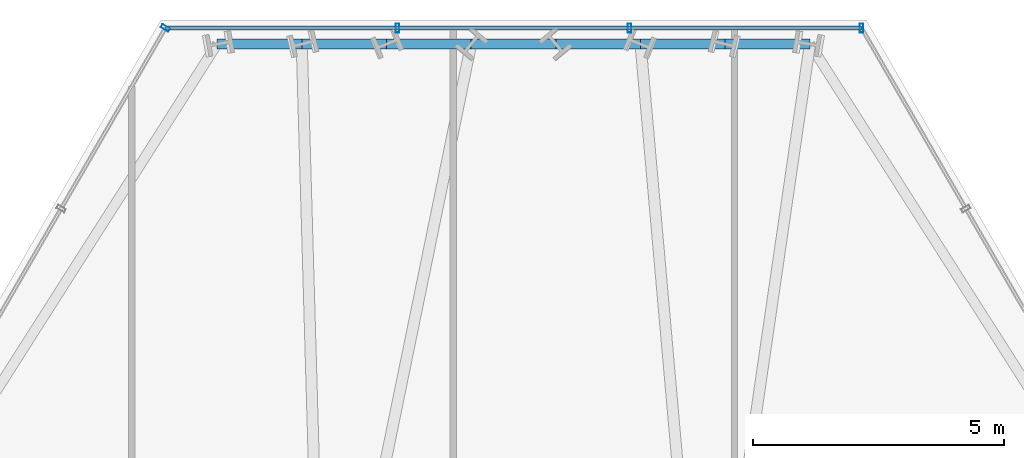
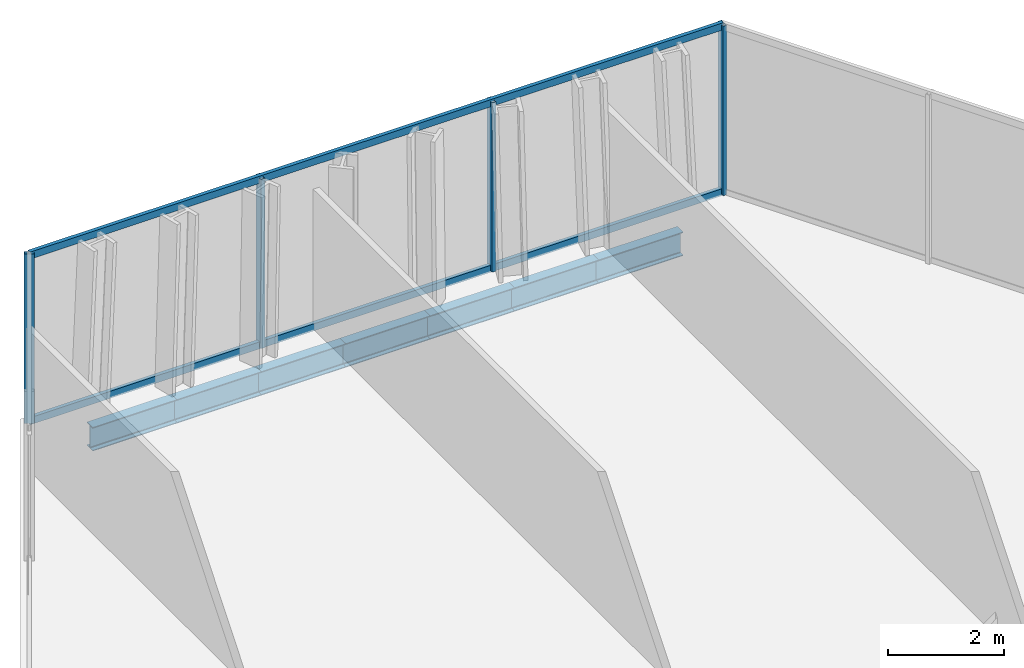
# One storey, part 24 of 32: 7 beams, 6 members, 2 elements without a shape of their own.
"""IFC4 building model written with IfcOpenShell, lengths in metres."""

from ifc_helpers import new_model, si_unit, direction, frame, origin, origin_2d, place, context, subcontext, project, spatial, hollow_rectangle, i_section, extrude, material, layer, layer_set, material_profile, profile_set, type_object, element, aggregate, save


model = new_model("IFC4")

# Units and contexts
model_context = context("Model", 3, precision=1e-05, world=origin(), true_north=direction((0.0, 1.0)))
body_context = subcontext(model_context, "Body", "Model", "MODEL_VIEW")
ifc_project = project(units=[si_unit("LENGTHUNIT", "METRE"), si_unit("AREAUNIT", "SQUARE_METRE"), si_unit("VOLUMEUNIT", "CUBIC_METRE"), si_unit("PLANEANGLEUNIT", "RADIAN"), si_unit("MASSUNIT", "GRAM", prefix="KILO")], contexts=[model_context])

# Site, building, storey
site_placement = place(None, origin())
site = spatial("IfcSite", under=ifc_project, at=site_placement, CompositionType="ELEMENT")
building_placement = place(site_placement, origin())
building = spatial("IfcBuilding", under=site, at=building_placement, Name="Ndaravel Arena Tower", CompositionType="ELEMENT")
storey_placement = place(building_placement, frame((0.0, 0.0, 96.800048828125)))
storey = spatial("IfcBuildingStorey", under=building, at=storey_placement, Name="L22", CompositionType="ELEMENT", Elevation=96.800048828125)

# Beams
ifc_material_1 = material(Name="Steel S355", Category="steel")
ifc_material_profile_1 = material_profile(ifc_material_1, i_section(OverallWidth=0.199951171875, OverallDepth=0.5, WebThickness=0.01025390625, FlangeThickness=0.01611328125, FilletRadius=0.02099609375, at=origin_2d()), Name="IPE 500")
ifc_profile_set_1 = profile_set([ifc_material_profile_1], Name="Steel S355")
beam_type = type_object("IfcBeamType", Name="BM-SPAN-IPE500", PredefinedType="SPANDREL", material=ifc_profile_set_1)
beam_1_placement = place(storey_placement, frame((47.90087890625, 45.614013671875, -0.469970703125), z_axis=(-1.0, 0.0, 0.0), x_axis=(0.0, -1.0, 0.0)))
element("IfcBeam", 1, at=beam_1_placement, inside=storey, type_object=beam_type, Name="L22 Perimeter Spandrel Beam SP-11", PredefinedType="SPANDREL", context=body_context, shape_type="SweptSolid", body=[
    extrude(i_section(OverallWidth=0.199951171875, OverallDepth=0.5, WebThickness=0.01025390625, FlangeThickness=0.01611328125, FilletRadius=0.02099609375, at=origin_2d()), origin(), (0.0, 0.0, 1.0), 1.68603515625),
])
beam_2_placement = place(storey_placement, frame((46.21484375, 45.614013671875, -0.469970703125), z_axis=(-1.0, 0.0, 0.0), x_axis=(0.0, -1.0, 0.0)))
element("IfcBeam", 2, at=beam_2_placement, inside=storey, type_object=beam_type, Name="L22 Perimeter Spandrel Beam SP-12", PredefinedType="SPANDREL", context=body_context, shape_type="SweptSolid", body=[
    extrude(i_section(OverallWidth=0.199951171875, OverallDepth=0.5, WebThickness=0.01025390625, FlangeThickness=0.01611328125, FilletRadius=0.02099609375, at=origin_2d()), origin(), (0.0, 0.0, 1.0), 1.685791015625),
])
for number, where, z_axis, x_axis, name in (
    (3, (44.529052734375, 45.614013671875, -0.469970703125), (-1.0, 0.0, 0.0), (0.0, -1.0, 0.0), "L22 Perimeter Spandrel Beam SP-13"),
    (4, (42.843017578125, 45.614013671875, -0.469970703125), (-1.0, 0.0, 0.0), (0.0, -1.0, 0.0), "L22 Perimeter Spandrel Beam SP-14"),
    (5, (41.156982421875, 45.614013671875, -0.469970703125), (-1.0, 0.0, 0.0), (0.0, -1.0, 0.0), "L22 Perimeter Spandrel Beam SP-15"),
):
    element("IfcBeam", number, at=place(storey_placement, frame(where, z_axis=z_axis, x_axis=x_axis)), inside=storey, type_object=beam_type, Name=name, PredefinedType="SPANDREL", context=body_context, shape_type="SweptSolid", body=[
        extrude(i_section(OverallWidth=0.199951171875, OverallDepth=0.5, WebThickness=0.01025390625, FlangeThickness=0.01611328125, FilletRadius=0.02099609375, at=origin_2d()), origin(), (0.0, 0.0, 1.0), 1.68603515625),
    ])
beam_3_placement = place(storey_placement, frame((39.470947265625, 45.614013671875, -0.469970703125), z_axis=(-1.0, 0.0, 0.0), x_axis=(0.0, -1.0, 0.0)))
element("IfcBeam", 6, at=beam_3_placement, inside=storey, type_object=beam_type, Name="L22 Perimeter Spandrel Beam SP-16", PredefinedType="SPANDREL", context=body_context, shape_type="SweptSolid", body=[
    extrude(i_section(OverallWidth=0.199951171875, OverallDepth=0.5, WebThickness=0.01025390625, FlangeThickness=0.01611328125, FilletRadius=0.02099609375, at=origin_2d()), origin(), (0.0, 0.0, 1.0), 1.685791015625),
])
beam_4_placement = place(storey_placement, frame((37.78515625, 45.614013671875, -0.469970703125), z_axis=(-1.0, 0.0, 0.0), x_axis=(0.0, -1.0, 0.0)))
element("IfcBeam", 7, at=beam_4_placement, inside=storey, type_object=beam_type, Name="L22 Perimeter Spandrel Beam SP-17", PredefinedType="SPANDREL", context=body_context, shape_type="SweptSolid", body=[
    extrude(i_section(OverallWidth=0.199951171875, OverallDepth=0.5, WebThickness=0.01025390625, FlangeThickness=0.01611328125, FilletRadius=0.02099609375, at=origin_2d()), origin(), (0.0, 0.0, 1.0), 1.68603515625),
])

# Curtain wall, members
ifc_material_2 = material(Name="Aluminium", Category="aluminium")
ifc_layer_1 = layer(ifc_material_2, 0.179931640625)
ifc_layer_set_1 = layer_set([ifc_layer_1], Name="Aluminium")
curtain_wall_type_1 = type_object("IfcCurtainWallType", Name="CW-SYS-01", PredefinedType="NOTDEFINED", material=ifc_layer_set_1)
curtain_wall_1_placement = place(storey_placement, origin())
curtain_wall_1 = element("IfcCurtainWall", 8, at=curtain_wall_1_placement, inside=storey, type_object=curtain_wall_type_1, Name="L22 Faceted Crystal Curtain Wall CW-L22-E04", PredefinedType="NOTDEFINED")
ifc_material_3 = material(Name="Aluminium", Category="aluminium")
ifc_material_profile_2 = material_profile(ifc_material_3, hollow_rectangle(XDim=0.074951171875, YDim=0.179931640625, WallThickness=0.00390625, at=origin_2d()), Name="CW MULLION 75x180x4")
ifc_profile_set_2 = profile_set([ifc_material_profile_2], Name="Aluminium")
member_type_1 = type_object("IfcMemberType", Name="MEM-CW-MUL180", PredefinedType="MULLION", material=ifc_profile_set_2)
member_1_placement = place(storey_placement, frame((48.9287109375, 45.93408203125, 0.0), z_axis=(0.0, 0.0, 1.0), x_axis=(-1.0, 0.0, 0.0)))
member_1 = element("IfcMember", 9, at=member_1_placement, type_object=member_type_1, Name="CW-L22-E04 Mullion 00", PredefinedType="MULLION", context=body_context, shape_type="SweptSolid", body=[
    extrude(hollow_rectangle(XDim=0.074951171875, YDim=0.179931640625, WallThickness=0.00390625, at=origin_2d()), origin(), (0.0, 0.0, 1.0), 3.579833984375),
])
member_2_placement = place(storey_placement, frame((44.3095703125, 45.93408203125, 0.0), z_axis=(0.0, 0.0, 1.0), x_axis=(-1.0, 0.0, 0.0)))
member_2 = element("IfcMember", 10, at=member_2_placement, type_object=member_type_1, Name="CW-L22-E04 Mullion 01", PredefinedType="MULLION", context=body_context, shape_type="SweptSolid", body=[
    extrude(hollow_rectangle(XDim=0.074951171875, YDim=0.179931640625, WallThickness=0.00390625, at=origin_2d()), origin(), (0.0, 0.0, 1.0), 3.579833984375),
])
member_3_placement = place(storey_placement, frame((39.6904296875, 45.93408203125, 0.0), z_axis=(0.0, 0.0, 1.0), x_axis=(-1.0, 0.0, 0.0)))
member_3 = element("IfcMember", 11, at=member_3_placement, type_object=member_type_1, Name="CW-L22-E04 Mullion 02", PredefinedType="MULLION", context=body_context, shape_type="SweptSolid", body=[
    extrude(hollow_rectangle(XDim=0.074951171875, YDim=0.179931640625, WallThickness=0.00390625, at=origin_2d()), origin(), (0.0, 0.0, 1.0), 3.579833984375),
])

# Curtain wall, member
ifc_material_4 = material(Name="Aluminium", Category="aluminium")
ifc_layer_2 = layer(ifc_material_4, 0.179931640625)
ifc_layer_set_2 = layer_set([ifc_layer_2], Name="Aluminium")
curtain_wall_type_2 = type_object("IfcCurtainWallType", Name="CW-SYS-03", PredefinedType="NOTDEFINED", material=ifc_layer_set_2)
curtain_wall_2_placement = place(storey_placement, origin())
curtain_wall_2 = element("IfcCurtainWall", 12, at=curtain_wall_2_placement, inside=storey, type_object=curtain_wall_type_2, Name="L22 Faceted Crystal Curtain Wall CW-L22-E05", PredefinedType="NOTDEFINED")
member_4_placement = place(storey_placement, frame((35.0712890625, 45.93408203125, 0.0), z_axis=(0.0, 0.0, 1.0), x_axis=(-0.5, -0.866025403784, 0.0)))
member_4 = element("IfcMember", 13, at=member_4_placement, type_object=member_type_1, Name="CW-L22-E05 Mullion 00", PredefinedType="MULLION", context=body_context, shape_type="SweptSolid", body=[
    extrude(hollow_rectangle(XDim=0.074951171875, YDim=0.179931640625, WallThickness=0.00390625, at=origin_2d()), origin(), (0.0, 0.0, 1.0), 3.579833984375),
])
aggregate(curtain_wall_2, [member_4])

# Member
ifc_material_5 = material(Name="Aluminium", Category="aluminium")
ifc_material_profile_3 = material_profile(ifc_material_5, hollow_rectangle(XDim=0.074951171875, YDim=0.14990234375, WallThickness=0.00390625, at=origin_2d()), Name="CW TRANSOM 75x150x4")
ifc_profile_set_3 = profile_set([ifc_material_profile_3], Name="Aluminium")
member_type_2 = type_object("IfcMemberType", Name="MEM-CW-TRN150", PredefinedType="USERDEFINED", material=ifc_profile_set_3)
member_5_placement = place(storey_placement, frame((48.9287109375, 45.93408203125, 0.0400390625), z_axis=(-1.0, 0.0, 0.0), x_axis=(0.0, -1.0, 0.0)))
member_5 = element("IfcMember", 14, at=member_5_placement, type_object=member_type_2, Name="CW-L22-E04 Transom 01", ObjectType="TRANSOM", PredefinedType="USERDEFINED", context=body_context, shape_type="SweptSolid", body=[
    extrude(hollow_rectangle(XDim=0.074951171875, YDim=0.14990234375, WallThickness=0.00390625, at=origin_2d()), origin(), (0.0, 0.0, 1.0), 13.857421875),
])

member_6_placement = place(storey_placement, frame((48.9287109375, 45.93408203125, 3.5400390625), z_axis=(-1.0, 0.0, 0.0), x_axis=(0.0, -1.0, 0.0)))
member_6 = element("IfcMember", 15, at=member_6_placement, type_object=member_type_2, Name="CW-L22-E04 Transom 02", ObjectType="TRANSOM", PredefinedType="USERDEFINED", context=body_context, shape_type="SweptSolid", body=[
    extrude(hollow_rectangle(XDim=0.074951171875, YDim=0.14990234375, WallThickness=0.00390625, at=origin_2d()), origin(), (0.0, 0.0, 1.0), 13.857421875),
])

aggregate(curtain_wall_1, [member_1, member_2, member_3, member_5, member_6])

save(model, "model.ifc")
